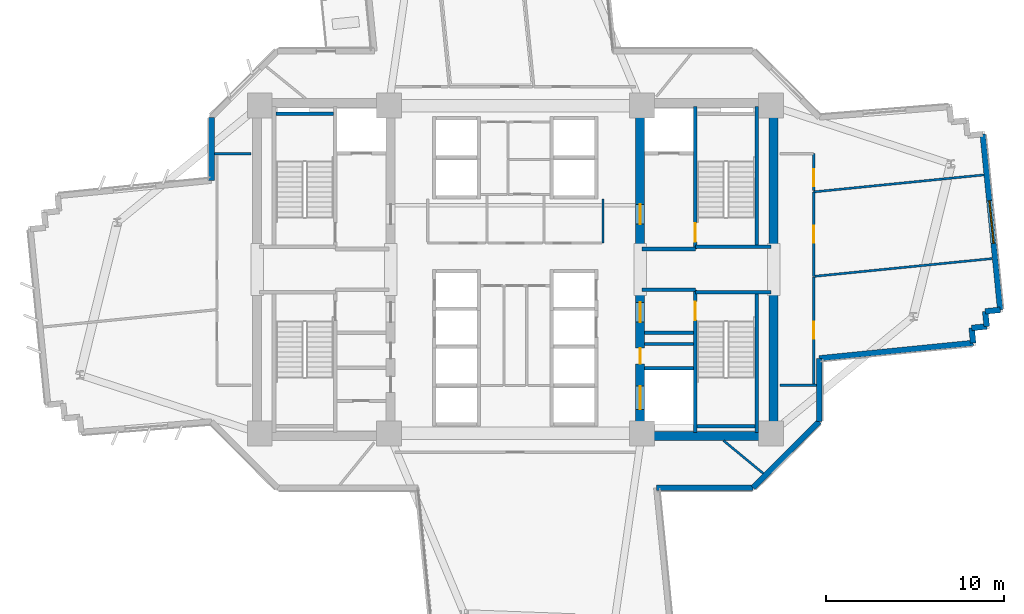
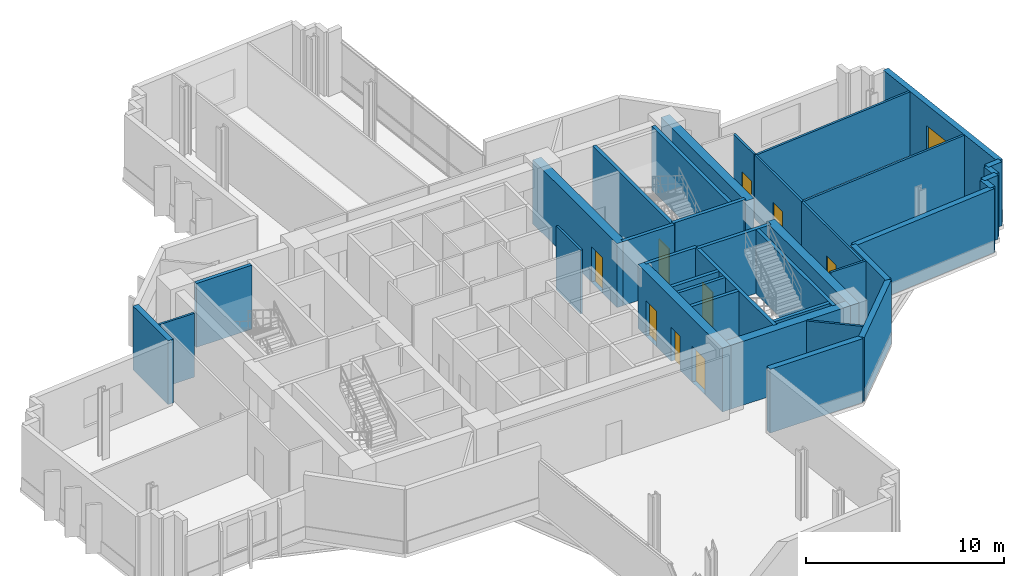
# One storey, part 8 of 14: 37 walls, 9 doors, 1 window, 10 openings.
"""IFC4 building model written with IfcOpenShell, lengths in metres."""

import ifcopenshell
import ifcopenshell.guid

model = None  # the IFC model being written
_history = None  # IfcOwnerHistory: only IFC2X3 demands one
_inside = {}  # id of a spatial element -> (the spatial element, [elements in it])
_under = {}  # id of a project, library or spatial element -> (it, [spatial elements below it])
_declared = {}  # id of a project -> (the project, [libraries it declares])
_typed = {}  # id of a type object -> (the type object, [elements of that type])
_made_of = {}  # id of a material, layer set ... -> (it, [elements and type objects made of it])


def new_model(schema):
    """Start an empty IFC model of exactly this schema.

    Asked for "IFC4X3", IfcOpenShell would pick the latest addendum, in which some entities
    have other attributes; the version numbers below select the first issue.
    IFC2X3 requires an IfcOwnerHistory on every rooted entity: one is made here for all.
    """
    global model, _history
    if schema == "IFC4X3":
        model = ifcopenshell.file(schema_version=(4, 3, 0, 0))
    else:
        model = ifcopenshell.file(schema=schema)
    _inside.clear()
    _under.clear()
    _declared.clear()
    _typed.clear()
    _made_of.clear()
    _history = None
    if model.schema == "IFC2X3":
        org = make("IfcOrganization", Name="unknown")
        user = make(
            "IfcPersonAndOrganization",
            ThePerson=make("IfcPerson", FamilyName="unknown"),
            TheOrganization=org,
        )
        app = make(
            "IfcApplication",
            ApplicationDeveloper=org,
            Version="unknown",
            ApplicationFullName="unknown",
            ApplicationIdentifier="unknown",
        )
        _history = make(
            "IfcOwnerHistory",
            OwningUser=user,
            OwningApplication=app,
            ChangeAction="ADDED",
            CreationDate=0,
        )
    return model


def make(cls, **values):
    """One entity of the class cls with the attributes given. An attribute that is None is left unset."""
    return model.create_entity(
        cls, **{name: value for name, value in values.items() if value is not None}
    )


def rooted(cls, **values):
    """An entity with a GlobalId (a new one), such as an element, a storey or a relation."""
    return make(cls, GlobalId=ifcopenshell.guid.new(), OwnerHistory=_history, **values)


def si_unit(unit_type, name, prefix=None):
    """IfcSIUnit, for example si_unit("LENGTHUNIT", "METRE", prefix="MILLI")."""
    return make("IfcSIUnit", UnitType=unit_type, Prefix=prefix, Name=name)


def assignment(units):
    """IfcUnitAssignment: the units of a project."""
    return None if units is None else make("IfcUnitAssignment", Units=units)


def point(xyz):
    """IfcCartesianPoint."""
    return None if xyz is None else make("IfcCartesianPoint", Coordinates=xyz)


def direction(xyz):
    """IfcDirection."""
    return None if xyz is None else make("IfcDirection", DirectionRatios=xyz)


def frame(location, z_axis=None, x_axis=None):
    """IfcAxis2Placement3D, a coordinate frame: its origin and axes. An axis left out is left unset."""
    return make(
        "IfcAxis2Placement3D",
        Location=point(location),
        Axis=direction(z_axis),
        RefDirection=direction(x_axis),
    )


def frame_2d(location, x_axis=None):
    """IfcAxis2Placement2D, a coordinate frame in the plane: its origin and x axis."""
    return make(
        "IfcAxis2Placement2D", Location=point(location), RefDirection=direction(x_axis)
    )


def origin():
    """The frame at (0, 0, 0) with its axes left unset."""
    return frame((0.0, 0.0, 0.0))


def place(relative_to, where):
    """IfcLocalPlacement: puts the frame where relative to a parent placement (None: the world)."""
    return make(
        "IfcLocalPlacement", PlacementRelTo=relative_to, RelativePlacement=where
    )


def context(
    kind, dimensions, precision=None, world=None, true_north=None, identifier=None
):
    """IfcGeometricRepresentationContext, for example the 3D "Model" context."""
    return make(
        "IfcGeometricRepresentationContext",
        ContextIdentifier=identifier,
        ContextType=kind,
        CoordinateSpaceDimension=dimensions,
        Precision=precision,
        WorldCoordinateSystem=world,
        TrueNorth=true_north,
    )


def subcontext(parent, identifier, kind, view, scale=None):
    """IfcGeometricRepresentationSubContext, for example "Body" below "Model"."""
    return make(
        "IfcGeometricRepresentationSubContext",
        ContextIdentifier=identifier,
        ContextType=kind,
        ParentContext=parent,
        TargetScale=scale,
        TargetView=view,
    )


def project(units=None, contexts=None):
    """IfcProject with its units and contexts."""
    return rooted(
        "IfcProject",
        Name="project",
        RepresentationContexts=contexts,
        UnitsInContext=assignment(units),
    )


def spatial(cls, under=None, at=None, **own):
    """A site, building, storey or space (cls), placed at a placement, below another one or the project."""
    s = rooted(cls, ObjectPlacement=at, **own)
    if under is not None:
        _under.setdefault(under.id(), (under, []))[1].append(s)
    return s


def profile(cls, at=None, kind="AREA", **sizes):
    """A parametric profile (cls). Its sizes go by their IFC names, for example OverallWidth=200.0."""
    return make(cls, ProfileType=kind, Position=at, **sizes)


def rectangle(**sizes):
    """IfcRectangleProfileDef."""
    return profile("IfcRectangleProfileDef", **sizes)


def extrude(swept, where, along, depth):
    """IfcExtrudedAreaSolid: the profile swept, set in the frame where, extruded along a direction by depth."""
    return make(
        "IfcExtrudedAreaSolid",
        SweptArea=swept,
        Position=where,
        ExtrudedDirection=direction(along),
        Depth=depth,
    )


def shape(context_of_items, identifier, shape_type, items):
    """IfcShapeRepresentation: the items that make up one representation, for example the "Body"."""
    return make(
        "IfcShapeRepresentation",
        ContextOfItems=context_of_items,
        RepresentationIdentifier=identifier,
        RepresentationType=shape_type,
        Items=items,
    )


def source(mapping_origin, context_of_items, identifier, shape_type, items):
    """IfcRepresentationMap: a shape defined once, which mapped items show again and again."""
    return make(
        "IfcRepresentationMap",
        MappingOrigin=mapping_origin,
        MappedRepresentation=shape(context_of_items, identifier, shape_type, items),
    )


def transform(
    local_origin,
    x_axis=None,
    y_axis=None,
    z_axis=None,
    scale=None,
    scale2=None,
    scale3=None,
    uniform=True,
):
    """IfcCartesianTransformationOperator3D, or its non-uniform kind. x_axis, y_axis, z_axis: its Axis1, 2, 3."""
    if uniform:
        return make(
            "IfcCartesianTransformationOperator3D",
            Axis1=direction(x_axis),
            Axis2=direction(y_axis),
            LocalOrigin=point(local_origin),
            Scale=scale,
            Axis3=direction(z_axis),
        )
    return make(
        "IfcCartesianTransformationOperator3DnonUniform",
        Axis1=direction(x_axis),
        Axis2=direction(y_axis),
        LocalOrigin=point(local_origin),
        Scale=scale,
        Axis3=direction(z_axis),
        Scale2=scale2,
        Scale3=scale3,
    )


def mapped(mapping_source, mapping_target):
    """IfcMappedItem: shows the shape of a source again, moved by a transform."""
    return make(
        "IfcMappedItem", MappingSource=mapping_source, MappingTarget=mapping_target
    )


def material(Name=None, Category=None):
    """IfcMaterial."""
    return make("IfcMaterial", Name=Name, Category=Category)


def layer(
    of_material, thickness, ventilated=None, Name=None, Category=None, Priority=None
):
    """IfcMaterialLayer: one layer of a wall or slab, of a material (None: an air gap)."""
    return make(
        "IfcMaterialLayer",
        Material=of_material,
        LayerThickness=thickness,
        IsVentilated=ventilated,
        Name=Name,
        Category=Category,
        Priority=Priority,
    )


def layer_set(layers, Name=None):
    """IfcMaterialLayerSet."""
    return make("IfcMaterialLayerSet", MaterialLayers=layers, LayerSetName=Name)


def made_of(thing, what):
    """Note that an element or type object is made of a material, layer set ...; save() writes the relation."""
    if what is not None:
        _made_of.setdefault(what.id(), (what, []))[1].append(thing)
    return thing


def type_object(cls, material=None, **own):
    """A type object (cls), such as IfcWallType, which elements share."""
    return made_of(rooted(cls, **own), material)


def element(
    cls,
    number,
    at=None,
    inside=None,
    cuts=None,
    type_object=None,
    material=None,
    context=None,
    identifier="Body",
    shape_type=None,
    held_by="IfcProductDefinitionShape",
    body=None,
    shapes=None,
    **own,
):
    """One element of the class cls, such as IfcWall. Its Tag is "e" and its number.

    at: its placement. inside: the storey or other place that contains it. cuts: it is an
    opening in that element (IfcRelVoidsElement). A single representation is given by context,
    identifier, shape_type and body (its items); several are given by shapes. held_by: the class
    of the entity that holds the representations. save() writes the other relations.
    """
    e = rooted(cls, Tag="e%d" % number, ObjectPlacement=at, **own)
    if body is not None:
        shapes = [shape(context, identifier, shape_type, body)]
    if shapes is not None:
        e.Representation = make(held_by, Representations=shapes)
    if inside is not None:
        _inside.setdefault(inside.id(), (inside, []))[1].append(e)
    if cuts is not None:
        rooted(
            "IfcRelVoidsElement", RelatingBuildingElement=cuts, RelatedOpeningElement=e
        )
    if type_object is not None:
        _typed.setdefault(type_object.id(), (type_object, []))[1].append(e)
    return made_of(e, material)


def fill(opening, filler):
    """IfcRelFillsElement: the door or window that sits in an opening."""
    return rooted(
        "IfcRelFillsElement",
        RelatingOpeningElement=opening,
        RelatedBuildingElement=filler,
    )


def aggregate(whole, parts):
    """IfcRelAggregates: a whole, such as a stair, and the parts it consists of."""
    return rooted("IfcRelAggregates", RelatingObject=whole, RelatedObjects=parts)


def save(model, path):
    """Write the relations noted so far, then the file.

    IfcRelAggregates (storeys below a building ...), IfcRelContainedInSpatialStructure (elements
    in a storey), IfcRelDefinesByType, IfcRelAssociatesMaterial and IfcRelDeclares: one each for
    every whole, place, type object, material and project.
    """
    for whole, parts in _under.values():
        aggregate(whole, parts)
    for where, things in _inside.values():
        rooted(
            "IfcRelContainedInSpatialStructure",
            RelatedElements=things,
            RelatingStructure=where,
        )
    for kind, things in _typed.values():
        rooted("IfcRelDefinesByType", RelatedObjects=things, RelatingType=kind)
    for what, things in _made_of.values():
        rooted("IfcRelAssociatesMaterial", RelatedObjects=things, RelatingMaterial=what)
    for by, libraries in _declared.values():
        rooted("IfcRelDeclares", RelatingContext=by, RelatedDefinitions=libraries)
    model.write(path)


model = new_model("IFC4")

# Units and contexts
model_context = context("Model", 3, precision=1e-05, world=origin(), true_north=direction((0.0, 1.0)))
body_context = subcontext(model_context, "Body", "Model", "MODEL_VIEW")
ifc_project = project(units=[si_unit("LENGTHUNIT", "METRE"), si_unit("AREAUNIT", "SQUARE_METRE"), si_unit("VOLUMEUNIT", "CUBIC_METRE"), si_unit("PLANEANGLEUNIT", "RADIAN"), si_unit("MASSUNIT", "GRAM", prefix="KILO")], contexts=[model_context])

# Site, building, storey
site_placement = place(None, origin())
site = spatial("IfcSite", under=ifc_project, at=site_placement, CompositionType="ELEMENT")
building_placement = place(site_placement, origin())
building = spatial("IfcBuilding", under=site, at=building_placement, Name="Zahravan Cultural Tower", CompositionType="ELEMENT")
storey_placement = place(building_placement, frame((0.0, 0.0, 100.5)))
storey = spatial("IfcBuildingStorey", under=building, at=storey_placement, Name="L22", CompositionType="ELEMENT", Elevation=100.5)

# Wall, openings, doors
ifc_material_1 = material(Name="Concrete C60/75", Category="concrete")
ifc_layer_1 = layer(ifc_material_1, 0.5)
ifc_layer_set_1 = layer_set([ifc_layer_1], Name="Concrete C60/75")
wall_type_1 = type_object("IfcWallType", Name="CW-SHEAR-500-C60", PredefinedType="SHEAR", material=ifc_layer_set_1)
wall_1_placement = place(storey_placement, frame((43.0, 17.39990234375, 0.0), z_axis=(0.0, 0.0, 1.0), x_axis=(0.0, 1.0, 0.0)))
wall_1 = element("IfcWall", 1, at=wall_1_placement, inside=storey, type_object=wall_type_1, Name="L22 Core Shear Wall CW-E-WS-L22", PredefinedType="SHEAR", context=body_context, shape_type="SweptSolid", body=[
    extrude(rectangle(XDim=8.550048828125, YDim=0.5, at=frame_2d((4.27490234375, 0.0))), origin(), (0.0, 0.0, 1.0), 3.949951171875),
])
opening_1_placement = place(wall_1_placement, frame((6.64990234375, 0.0, 0.0)))
opening_1 = element("IfcOpeningElement", 2, at=opening_1_placement, cuts=wall_1, Name="Opening D-L22-08", PredefinedType="OPENING", context=body_context, shape_type="SweptSolid", body=[
    extrude(rectangle(XDim=1.10009765625, YDim=2.199951171875, at=frame_2d((0.550048828125, 1.10009765625))), frame((0.0, 0.260009765625, 0.0), z_axis=(0.0, -1.0, 0.0), x_axis=(1.0, 0.0, 0.0)), (0.0, 0.0, 1.0), 0.52001953125),
])
opening_2_placement = place(wall_1_placement, frame((1.75, 0.0, 0.0)))
opening_2 = element("IfcOpeningElement", 3, at=opening_2_placement, cuts=wall_1, Name="Opening LD-L22-03", PredefinedType="OPENING", context=body_context, shape_type="SweptSolid", body=[
    extrude(rectangle(XDim=1.300048828125, YDim=2.199951171875, at=frame_2d((0.64990234375, 1.10009765625))), frame((0.0, 0.260009765625, 0.0), z_axis=(0.0, -1.0, 0.0), x_axis=(1.0, 0.0, 0.0)), (0.0, 0.0, 1.0), 0.52001953125),
])
opening_3_placement = place(wall_1_placement, frame((4.300048828125, 0.0, 0.0)))
opening_3 = element("IfcOpeningElement", 4, at=opening_3_placement, cuts=wall_1, Name="Opening D-L22-12", PredefinedType="OPENING", context=body_context, shape_type="SweptSolid", body=[
    extrude(rectangle(XDim=0.8798828125, YDim=2.10009765625, at=frame_2d((0.43994140625, 1.050048828125))), frame((0.0, 0.260009765625, 0.0), z_axis=(0.0, -1.0, 0.0), x_axis=(1.0, 0.0, 0.0)), (0.0, 0.0, 1.0), 0.52001953125),
])
ifc_material_2 = material(Name="Steel ASTM A572 Grade 50", Category="steel")
door_type_1 = type_object("IfcDoorType", Name="DR-LOBBY-1100", OperationType="NOTDEFINED", PredefinedType="DOOR", material=ifc_material_2)
shared_shape_1 = source(origin(), body_context, "Body", "SweptSolid", [
    extrude(rectangle(XDim=1.10009765625, YDim=2.199951171875, at=frame_2d((0.550048828125, 1.10009765625))), frame((0.0, 0.02490234375, 0.0), z_axis=(0.0, -1.0, 0.0), x_axis=(1.0, 0.0, 0.0)), (0.0, 0.0, 1.0), 0.050048828125),
])
door_1_placement = place(opening_1_placement, origin())
door_1 = element("IfcDoor", 5, at=door_1_placement, inside=storey, type_object=door_type_1, Name="L22 Door D-L22-08", OperationType="SINGLE_SWING_LEFT", OverallHeight=2.199951171875, OverallWidth=1.10009765625, PredefinedType="DOOR", context=body_context, shape_type="MappedRepresentation", body=[
    mapped(shared_shape_1, transform((0.0, 0.0, 0.0), x_axis=(1.0, 0.0, 0.0), y_axis=(0.0, 1.0, 0.0), z_axis=(0.0, 0.0, 1.0), scale=1.0)),
])
fill(opening_1, door_1)
door_type_2 = type_object("IfcDoorType", Name="DR-LIFT-1300", OperationType="DOUBLE_DOOR_SLIDING", PredefinedType="DOOR", material=ifc_material_2)
shared_shape_2 = source(origin(), body_context, "Body", "SweptSolid", [
    extrude(rectangle(XDim=1.300048828125, YDim=2.199951171875, at=frame_2d((0.64990234375, 1.10009765625))), frame((0.0, 0.02490234375, 0.0), z_axis=(0.0, -1.0, 0.0), x_axis=(1.0, 0.0, 0.0)), (0.0, 0.0, 1.0), 0.050048828125),
])
door_2_placement = place(opening_2_placement, origin())
door_2 = element("IfcDoor", 6, at=door_2_placement, inside=storey, type_object=door_type_2, Name="L22 Door LD-L22-03", OperationType="DOUBLE_DOOR_SLIDING", OverallHeight=2.199951171875, OverallWidth=1.300048828125, PredefinedType="DOOR", context=body_context, shape_type="MappedRepresentation", body=[
    mapped(shared_shape_2, transform((0.0, 0.0, 0.0), x_axis=(1.0, 0.0, 0.0), y_axis=(0.0, 1.0, 0.0), z_axis=(0.0, 0.0, 1.0), scale=1.0)),
])
fill(opening_2, door_2)
door_type_3 = type_object("IfcDoorType", Name="DR-SVC-880", OperationType="NOTDEFINED", PredefinedType="DOOR", material=ifc_material_2)
shared_shape_3 = source(origin(), body_context, "Body", "SweptSolid", [
    extrude(rectangle(XDim=0.8798828125, YDim=2.10009765625, at=frame_2d((0.43994140625, 1.050048828125))), frame((0.0, 0.02490234375, 0.0), z_axis=(0.0, -1.0, 0.0), x_axis=(1.0, 0.0, 0.0)), (0.0, 0.0, 1.0), 0.050048828125),
])
door_3_placement = place(opening_3_placement, origin())
door_3 = element("IfcDoor", 7, at=door_3_placement, inside=storey, type_object=door_type_3, Name="L22 Door D-L22-12", OperationType="SINGLE_SWING_LEFT", OverallHeight=2.10009765625, OverallWidth=0.8798828125, PredefinedType="DOOR", context=body_context, shape_type="MappedRepresentation", body=[
    mapped(shared_shape_3, transform((0.0, 0.0, 0.0), x_axis=(1.0, 0.0, 0.0), y_axis=(0.0, 1.0, 0.0), z_axis=(0.0, 0.0, 1.0), scale=1.0)),
])
fill(opening_3, door_3)

# Wall, opening, door
wall_2_placement = place(storey_placement, frame((43.0, 28.050048828125, 0.0), z_axis=(0.0, 0.0, 1.0), x_axis=(0.0, 1.0, 0.0)))
wall_2 = element("IfcWall", 8, at=wall_2_placement, inside=storey, type_object=wall_type_1, Name="L22 Core Shear Wall CW-E-WN-L22", PredefinedType="SHEAR", context=body_context, shape_type="SweptSolid", body=[
    extrude(rectangle(XDim=8.550048828125, YDim=0.5, at=frame_2d((4.27490234375, 0.0))), origin(), (0.0, 0.0, 1.0), 3.949951171875),
])
opening_4_placement = place(wall_2_placement, frame((1.5, 0.0, 0.0)))
opening_4 = element("IfcOpeningElement", 9, at=opening_4_placement, cuts=wall_2, Name="Opening D-L22-06", PredefinedType="OPENING", context=body_context, shape_type="SweptSolid", body=[
    extrude(rectangle(XDim=1.10009765625, YDim=2.199951171875, at=frame_2d((0.550048828125, 1.10009765625))), frame((0.0, 0.260009765625, 0.0), z_axis=(0.0, -1.0, 0.0), x_axis=(1.0, 0.0, 0.0)), (0.0, 0.0, 1.0), 0.52001953125),
])
door_4_placement = place(opening_4_placement, origin())
door_4 = element("IfcDoor", 10, at=door_4_placement, inside=storey, type_object=door_type_1, Name="L22 Door D-L22-06", OperationType="SINGLE_SWING_LEFT", OverallHeight=2.199951171875, OverallWidth=1.10009765625, PredefinedType="DOOR", context=body_context, shape_type="MappedRepresentation", body=[
    mapped(shared_shape_1, transform((0.0, 0.0, 0.0), x_axis=(1.0, 0.0, 0.0), y_axis=(0.0, 1.0, 0.0), z_axis=(0.0, 0.0, 1.0), scale=1.0)),
])
fill(opening_4, door_4)

# Wall, opening, window
ifc_material_3 = material(Name="Precast concrete C40/50", Category="concrete")
ifc_layer_2 = layer(ifc_material_3, 0.320068359375)
ifc_layer_set_2 = layer_set([ifc_layer_2], Name="Precast concrete C40/50")
wall_type_2 = type_object("IfcWallType", Name="EW-TC-320", PredefinedType="SOLIDWALL", material=ifc_layer_set_2)
wall_3_placement = place(storey_placement, frame((62.234619140625, 34.603271484375, 0.0), z_axis=(0.0, 0.0, 1.0), x_axis=(0.099303907908, -0.995057151059, 0.0)))
wall_3 = element("IfcWall", 11, at=wall_3_placement, inside=storey, type_object=wall_type_2, Name="L22 Exterior Masonry Frame Wall 32", PredefinedType="SOLIDWALL", context=body_context, shape_type="SweptSolid", body=[
    extrude(rectangle(XDim=9.920166015625, YDim=0.320068359375, at=frame_2d((4.9599609375, 0.0))), origin(), (0.0, 0.0, 1.0), 3.949951171875),
])
opening_5_placement = place(wall_3_placement, frame((3.760009765625, 0.0, 0.85009765625)))
opening_5 = element("IfcOpeningElement", 12, at=opening_5_placement, cuts=wall_3, Name="Opening WN-01", PredefinedType="OPENING", context=body_context, shape_type="SweptSolid", body=[
    extrude(rectangle(XDim=2.39990234375, YDim=1.800048828125, at=frame_2d((1.199951171875, 0.89990234375))), frame((0.0, 0.169921875, 0.0), z_axis=(0.0, -1.0, 0.0), x_axis=(1.0, 0.0, 0.0)), (0.0, 0.0, 1.0), 0.340087890625),
])
ifc_material_4 = material(Name="Low-E solar-control double glazing", Category="glass")
window_type = type_object("IfcWindowType", Name="WN-REC-2400X1800", PartitioningType="DOUBLE_PANEL_VERTICAL", PredefinedType="WINDOW", material=ifc_material_4)
shared_shape_4 = source(origin(), body_context, "Body", "SweptSolid", [
    extrude(rectangle(XDim=2.39990234375, YDim=1.800048828125, at=frame_2d((1.199951171875, 0.89990234375))), frame((0.0, 0.030029296875, 0.0), z_axis=(0.0, -1.0, 0.0), x_axis=(1.0, 0.0, 0.0)), (0.0, 0.0, 1.0), 0.06005859375),
])
window_placement = place(opening_5_placement, origin())
window = element("IfcWindow", 13, at=window_placement, inside=storey, type_object=window_type, Name="L22 Recessed Solar Window 08", OverallHeight=1.800048828125, OverallWidth=2.39990234375, PartitioningType="DOUBLE_PANEL_VERTICAL", PredefinedType="WINDOW", context=body_context, shape_type="MappedRepresentation", body=[
    mapped(shared_shape_4, transform((0.0, 0.0, 0.0), x_axis=(1.0, 0.0, 0.0), y_axis=(0.0, 1.0, 0.0), z_axis=(0.0, 0.0, 1.0), scale=1.0)),
])
fill(opening_5, window)

# Wall, opening, door
ifc_material_5 = material(Name="Gypsum plasterboard partition")
ifc_layer_3 = layer(ifc_material_5, 0.125)
ifc_layer_set_3 = layer_set([ifc_layer_3], Name="Gypsum plasterboard partition")
wall_type_3 = type_object("IfcWallType", Name="W-PART-125", PredefinedType="PARTITIONING", material=ifc_layer_set_3)
wall_4_placement = place(storey_placement, frame((52.75, 26.61181640625, 0.0), z_axis=(0.0, 0.0, 1.0), x_axis=(0.0, 1.0, 0.0)))
wall_4 = element("IfcWall", 14, at=wall_4_placement, inside=storey, type_object=wall_type_3, Name="L22 Interior Wall 091", PredefinedType="PARTITIONING", context=body_context, shape_type="SweptSolid", body=[
    extrude(rectangle(XDim=4.7431640625, YDim=0.125, at=frame_2d((2.37158203125, 0.0))), origin(), (0.0, 0.0, 1.0), 3.949951171875),
])
opening_6_placement = place(wall_4_placement, frame((1.896728515625, 0.0, 0.0)))
opening_6 = element("IfcOpeningElement", 15, at=opening_6_placement, cuts=wall_4, Name="Opening D-L22-22", PredefinedType="OPENING", context=body_context, shape_type="SweptSolid", body=[
    extrude(rectangle(XDim=0.949951171875, YDim=2.14990234375, at=frame_2d((0.47509765625, 1.074951171875))), frame((0.0, 0.072509765625, 0.0), z_axis=(0.0, -1.0, 0.0), x_axis=(1.0, 0.0, 0.0)), (0.0, 0.0, 1.0), 0.14501953125),
])
ifc_material_6 = material(Name="Anodised bronze-aluminium mullion", Category="aluminium")
door_type_4 = type_object("IfcDoorType", Name="DR-ROOM-950", OperationType="NOTDEFINED", PredefinedType="DOOR", material=ifc_material_6)
shared_shape_5 = source(origin(), body_context, "Body", "SweptSolid", [
    extrude(rectangle(XDim=0.949951171875, YDim=2.14990234375, at=frame_2d((0.47509765625, 1.074951171875))), frame((0.0, 0.02490234375, 0.0), z_axis=(0.0, -1.0, 0.0), x_axis=(1.0, 0.0, 0.0)), (0.0, 0.0, 1.0), 0.050048828125),
])
door_5_placement = place(opening_6_placement, origin())
door_5 = element("IfcDoor", 16, at=door_5_placement, inside=storey, type_object=door_type_4, Name="L22 Door D-L22-22", OperationType="SINGLE_SWING_LEFT", OverallHeight=2.14990234375, OverallWidth=0.949951171875, PredefinedType="DOOR", context=body_context, shape_type="MappedRepresentation", body=[
    mapped(shared_shape_5, transform((0.0, 0.0, 0.0), x_axis=(1.0, 0.0, 0.0), y_axis=(0.0, 1.0, 0.0), z_axis=(0.0, 0.0, 1.0), scale=1.0)),
])
fill(opening_6, door_5)

wall_5_placement = place(storey_placement, frame((52.75, 31.4228515625, 0.0), z_axis=(0.0, 0.0, 1.0), x_axis=(-0.000470366834, 0.999999889378, 0.0)))
wall_5 = element("IfcWall", 17, at=wall_5_placement, inside=storey, type_object=wall_type_3, Name="L22 Interior Wall 095", PredefinedType="PARTITIONING", context=body_context, shape_type="SweptSolid", body=[
    extrude(rectangle(XDim=2.076171875, YDim=0.125, at=frame_2d((1.0380859375, 0.0))), origin(), (0.0, 0.0, 1.0), 3.949951171875),
])
opening_7_placement = place(wall_5_placement, frame((0.247802734375, 0.0, 0.0)))
opening_7 = element("IfcOpeningElement", 18, at=opening_7_placement, cuts=wall_5, Name="Opening D-L22-23", PredefinedType="OPENING", context=body_context, shape_type="SweptSolid", body=[
    extrude(rectangle(XDim=0.949951171875, YDim=2.14990234375, at=frame_2d((0.47509765625, 1.074951171875))), frame((0.0, 0.072509765625, 0.0), z_axis=(0.0, -1.0, 0.0), x_axis=(1.0, 0.0, 0.0)), (0.0, 0.0, 1.0), 0.14501953125),
])
door_6_placement = place(opening_7_placement, origin())
door_6 = element("IfcDoor", 19, at=door_6_placement, inside=storey, type_object=door_type_4, Name="L22 Door D-L22-23", OperationType="SINGLE_SWING_RIGHT", OverallHeight=2.14990234375, OverallWidth=0.949951171875, PredefinedType="DOOR", context=body_context, shape_type="MappedRepresentation", body=[
    mapped(shared_shape_5, transform((0.0, 0.0, 0.0), x_axis=(1.0, 0.0, 0.0), y_axis=(0.0, 1.0, 0.0), z_axis=(0.0, 0.0, 1.0), scale=1.0)),
])
fill(opening_7, door_6)

wall_6_placement = place(storey_placement, frame((52.75, 20.56787109375, 0.0), z_axis=(0.0, 0.0, 1.0), x_axis=(0.0, 1.0, 0.0)))
wall_6 = element("IfcWall", 20, at=wall_6_placement, inside=storey, type_object=wall_type_3, Name="L22 Interior Wall 098", PredefinedType="PARTITIONING", context=body_context, shape_type="SweptSolid", body=[
    extrude(rectangle(XDim=6.023681640625, YDim=0.125, at=frame_2d((3.01171875, 0.0))), origin(), (0.0, 0.0, 1.0), 3.949951171875),
])
opening_8_placement = place(wall_6_placement, frame((2.536865234375, 0.0, 0.0)))
opening_8 = element("IfcOpeningElement", 21, at=opening_8_placement, cuts=wall_6, Name="Opening D-L22-21", PredefinedType="OPENING", context=body_context, shape_type="SweptSolid", body=[
    extrude(rectangle(XDim=0.949951171875, YDim=2.14990234375, at=frame_2d((0.47509765625, 1.074951171875))), frame((0.0, 0.072509765625, 0.0), z_axis=(0.0, -1.0, 0.0), x_axis=(1.0, 0.0, 0.0)), (0.0, 0.0, 1.0), 0.14501953125),
])
door_7_placement = place(opening_8_placement, origin())
door_7 = element("IfcDoor", 22, at=door_7_placement, inside=storey, type_object=door_type_4, Name="L22 Door D-L22-21", OperationType="SINGLE_SWING_RIGHT", OverallHeight=2.14990234375, OverallWidth=0.949951171875, PredefinedType="DOOR", context=body_context, shape_type="MappedRepresentation", body=[
    mapped(shared_shape_5, transform((0.0, 0.0, 0.0), x_axis=(1.0, 0.0, 0.0), y_axis=(0.0, 1.0, 0.0), z_axis=(0.0, 0.0, 1.0), scale=1.0)),
])
fill(opening_8, door_7)

ifc_material_7 = material(Name="Concrete C45/55", Category="concrete")
ifc_layer_4 = layer(ifc_material_7, 0.199951171875)
ifc_layer_set_4 = layer_set([ifc_layer_4], Name="Concrete C45/55")
wall_type_4 = type_object("IfcWallType", Name="W-SHAFT-200", PredefinedType="SOLIDWALL", material=ifc_layer_set_4)
wall_7_placement = place(storey_placement, frame((46.10009765625, 17.85009765625, 0.0), z_axis=(0.0, 0.0, 1.0), x_axis=(0.0, 1.0, 0.0)))
wall_7 = element("IfcWall", 23, at=wall_7_placement, inside=storey, type_object=wall_type_4, Name="L22 Interior Wall 007", PredefinedType="SOLIDWALL", context=body_context, shape_type="SweptSolid", body=[
    extrude(rectangle(XDim=8.0, YDim=0.199951171875, at=frame_2d((4.0, 0.0))), origin(), (0.0, 0.0, 1.0), 3.949951171875),
])
opening_9_placement = place(wall_7_placement, frame((6.300048828125, 0.0, 0.0)))
opening_9 = element("IfcOpeningElement", 24, at=opening_9_placement, cuts=wall_7, Name="Opening D-L22-03", PredefinedType="OPENING", context=body_context, shape_type="SweptSolid", body=[
    extrude(rectangle(XDim=1.050048828125, YDim=2.14990234375, at=frame_2d((0.52490234375, 1.074951171875))), frame((0.0, 0.10986328125, 0.0), z_axis=(0.0, -1.0, 0.0), x_axis=(1.0, 0.0, 0.0)), (0.0, 0.0, 1.0), 0.219970703125),
])
door_type_5 = type_object("IfcDoorType", Name="DR-STAIR-1050", OperationType="NOTDEFINED", PredefinedType="DOOR", material=ifc_material_2)
shared_shape_6 = source(origin(), body_context, "Body", "SweptSolid", [
    extrude(rectangle(XDim=1.050048828125, YDim=2.14990234375, at=frame_2d((0.52490234375, 1.074951171875))), frame((0.0, 0.02490234375, 0.0), z_axis=(0.0, -1.0, 0.0), x_axis=(1.0, 0.0, 0.0)), (0.0, 0.0, 1.0), 0.050048828125),
])
door_8_placement = place(opening_9_placement, origin())
door_8 = element("IfcDoor", 25, at=door_8_placement, inside=storey, type_object=door_type_5, Name="L22 Door D-L22-03", OperationType="SINGLE_SWING_RIGHT", OverallHeight=2.14990234375, OverallWidth=1.050048828125, PredefinedType="DOOR", context=body_context, shape_type="MappedRepresentation", body=[
    mapped(shared_shape_6, transform((0.0, 0.0, 0.0), x_axis=(1.0, 0.0, 0.0), y_axis=(0.0, 1.0, 0.0), z_axis=(0.0, 0.0, 1.0), scale=1.0)),
])
fill(opening_9, door_8)

wall_8_placement = place(storey_placement, frame((46.10009765625, 28.14990234375, 0.0), z_axis=(0.0, 0.0, 1.0), x_axis=(0.0, 1.0, 0.0)))
wall_8 = element("IfcWall", 26, at=wall_8_placement, inside=storey, type_object=wall_type_4, Name="L22 Interior Wall 008", PredefinedType="SOLIDWALL", context=body_context, shape_type="SweptSolid", body=[
    extrude(rectangle(XDim=8.0, YDim=0.199951171875, at=frame_2d((4.0, 0.0))), origin(), (0.0, 0.0, 1.0), 3.949951171875),
])
opening_10_placement = place(wall_8_placement, frame((0.39990234375, 0.0, 0.0)))
opening_10 = element("IfcOpeningElement", 27, at=opening_10_placement, cuts=wall_8, Name="Opening D-L22-02", PredefinedType="OPENING", context=body_context, shape_type="SweptSolid", body=[
    extrude(rectangle(XDim=1.050048828125, YDim=2.14990234375, at=frame_2d((0.52490234375, 1.074951171875))), frame((0.0, 0.10986328125, 0.0), z_axis=(0.0, -1.0, 0.0), x_axis=(1.0, 0.0, 0.0)), (0.0, 0.0, 1.0), 0.219970703125),
])
door_9_placement = place(opening_10_placement, origin())
door_9 = element("IfcDoor", 28, at=door_9_placement, inside=storey, type_object=door_type_5, Name="L22 Door D-L22-02", OperationType="SINGLE_SWING_LEFT", OverallHeight=2.14990234375, OverallWidth=1.050048828125, PredefinedType="DOOR", context=body_context, shape_type="MappedRepresentation", body=[
    mapped(shared_shape_6, transform((0.0, 0.0, 0.0), x_axis=(1.0, 0.0, 0.0), y_axis=(0.0, 1.0, 0.0), z_axis=(0.0, 0.0, 1.0), scale=1.0)),
])
fill(opening_10, door_9)

# Walls
shared_shape_7 = source(origin(), body_context, "Body", "SweptSolid", [
    extrude(rectangle(XDim=8.550048828125, YDim=0.5, at=frame_2d((4.27490234375, 0.0))), origin(), (0.0, 0.0, 1.0), 3.949951171875),
])
for number, where, z_axis, x_axis, name in (
    (29, (50.5, 17.39990234375, 0.0), (0.0, 0.0, 1.0), (0.0, 1.0, 0.0), "L22 Core Shear Wall CW-E-ES-L22"),
    (30, (50.5, 28.050048828125, 0.0), (0.0, 0.0, 1.0), (0.0, 1.0, 0.0), "L22 Core Shear Wall CW-E-EN-L22"),
):
    element("IfcWall", number, at=place(storey_placement, frame(where, z_axis=z_axis, x_axis=x_axis)), inside=storey, type_object=wall_type_1, Name=name, PredefinedType="SHEAR", context=body_context, shape_type="MappedRepresentation", body=[
        mapped(shared_shape_7, transform((0.0, 0.0, 0.0), x_axis=(1.0, 0.0, 0.0), y_axis=(0.0, 1.0, 0.0), z_axis=(0.0, 0.0, 1.0), scale=1.0)),
    ])
shared_shape_8 = source(origin(), body_context, "Body", "SweptSolid", [
    extrude(rectangle(XDim=7.0, YDim=0.5, at=frame_2d((3.5, 0.0))), origin(), (0.0, 0.0, 1.0), 3.949951171875),
])
wall_9_placement = place(storey_placement, frame((43.25, 17.64990234375, 0.0), z_axis=(0.0, 0.0, 1.0), x_axis=(1.0, 0.0, 0.0)))
element("IfcWall", 31, at=wall_9_placement, inside=storey, type_object=wall_type_1, Name="L22 Core Shear Wall CW-E-S-L22", PredefinedType="SHEAR", context=body_context, shape_type="MappedRepresentation", body=[
    mapped(shared_shape_8, transform((0.0, 0.0, 0.0), x_axis=(1.0, 0.0, 0.0), y_axis=(0.0, 1.0, 0.0), z_axis=(0.0, 0.0, 1.0), scale=1.0)),
])
shared_shape_9 = source(origin(), body_context, "Body", "SweptSolid", [
    extrude(rectangle(XDim=0.849853515625, YDim=0.320068359375, at=frame_2d((0.4248046875, 0.0))), origin(), (0.0, 0.0, 1.0), 3.949951171875),
])
for number, where, z_axis, x_axis, name in (
    (32, (63.2197265625, 24.732177734375, 0.0), (0.0, 0.0, 1.0), (-0.995048560111, -0.09938995433, 0.0), "L22 Exterior Masonry Frame Wall 33"),
    (33, (62.3740234375, 24.647705078125, 0.0), (0.0, 0.0, 1.0), (0.09938995433, -0.995048560111, 0.0), "L22 Exterior Masonry Frame Wall 34"),
    (34, (62.45849609375, 23.802001953125, 0.0), (0.0, 0.0, 1.0), (-0.995048560111, -0.09938995433, 0.0), "L22 Exterior Masonry Frame Wall 35"),
    (35, (61.61279296875, 23.717529296875, 0.0), (0.0, 0.0, 1.0), (0.099105525559, -0.995076929088, 0.0), "L22 Exterior Masonry Frame Wall 36"),
):
    element("IfcWall", number, at=place(storey_placement, frame(where, z_axis=z_axis, x_axis=x_axis)), inside=storey, type_object=wall_type_2, Name=name, PredefinedType="SOLIDWALL", context=body_context, shape_type="MappedRepresentation", body=[
        mapped(shared_shape_9, transform((0.0, 0.0, 0.0), x_axis=(1.0, 0.0, 0.0), y_axis=(0.0, 1.0, 0.0), z_axis=(0.0, 0.0, 1.0), scale=1.0)),
    ])
shared_shape_10 = source(origin(), body_context, "Body", "SweptSolid", [
    extrude(rectangle(XDim=5.258056640625, YDim=0.320068359375, at=frame_2d((2.62890625, 0.0))), origin(), (0.0, 0.0, 1.0), 3.949951171875),
])
wall_10_placement = place(storey_placement, frame((53.06005859375, 18.4580078125, 0.0), z_axis=(0.0, 0.0, 1.0), x_axis=(-0.707106781187, -0.707106781187, 0.0)))
element("IfcWall", 36, at=wall_10_placement, inside=storey, type_object=wall_type_2, Name="L22 Exterior Masonry Frame Wall 39", PredefinedType="SOLIDWALL", context=body_context, shape_type="MappedRepresentation", body=[
    mapped(shared_shape_10, transform((0.0, 0.0, 0.0), x_axis=(1.0, 0.0, 0.0), y_axis=(0.0, 1.0, 0.0), z_axis=(0.0, 0.0, 1.0), scale=1.0)),
])
shared_shape_11 = source(origin(), body_context, "Body", "SweptSolid", [
    extrude(rectangle(XDim=3.5517578125, YDim=0.320068359375, at=frame_2d((1.77587890625, 0.0))), origin(), (0.0, 0.0, 1.0), 3.949951171875),
])
for number, where, z_axis, x_axis, name in (
    (37, (18.93994140625, 31.990234375, 0.0), (0.0, 0.0, 1.0), (0.0, 1.0, 0.0), "L22 Exterior Masonry Frame Wall 12"),
    (38, (53.06005859375, 22.009765625, 0.0), (0.0, 0.0, 1.0), (0.0, -1.0, 0.0), "L22 Exterior Masonry Frame Wall 38"),
):
    element("IfcWall", number, at=place(storey_placement, frame(where, z_axis=z_axis, x_axis=x_axis)), inside=storey, type_object=wall_type_2, Name=name, PredefinedType="SOLIDWALL", context=body_context, shape_type="MappedRepresentation", body=[
        mapped(shared_shape_11, transform((0.0, 0.0, 0.0), x_axis=(1.0, 0.0, 0.0), y_axis=(0.0, 1.0, 0.0), z_axis=(0.0, 0.0, 1.0), scale=1.0)),
    ])
shared_shape_12 = source(origin(), body_context, "Body", "SweptSolid", [
    extrude(rectangle(XDim=8.679931640625, YDim=0.320068359375, at=frame_2d((4.33984375, 0.0))), origin(), (0.0, 0.0, 1.0), 3.949951171875),
])
wall_11_placement = place(storey_placement, frame((61.697021484375, 22.871826171875, 0.0), z_axis=(0.0, 0.0, 1.0), x_axis=(-0.995055831351, -0.099317130918, 0.0)))
element("IfcWall", 39, at=wall_11_placement, inside=storey, type_object=wall_type_2, Name="L22 Exterior Masonry Frame Wall 37", PredefinedType="SOLIDWALL", context=body_context, shape_type="MappedRepresentation", body=[
    mapped(shared_shape_12, transform((0.0, 0.0, 0.0), x_axis=(1.0, 0.0, 0.0), y_axis=(0.0, 1.0, 0.0), z_axis=(0.0, 0.0, 1.0), scale=1.0)),
])
shared_shape_13 = source(origin(), body_context, "Body", "SweptSolid", [
    extrude(rectangle(XDim=5.42529296875, YDim=0.320068359375, at=frame_2d((2.712646484375, 0.0))), origin(), (0.0, 0.0, 1.0), 3.949951171875),
])
wall_12_placement = place(storey_placement, frame((49.342041015625, 14.739990234375, 0.0), z_axis=(0.0, 0.0, 1.0), x_axis=(-1.0, 0.0, 0.0)))
element("IfcWall", 40, at=wall_12_placement, inside=storey, type_object=wall_type_2, Name="L22 Exterior Masonry Frame Wall 40", PredefinedType="SOLIDWALL", context=body_context, shape_type="MappedRepresentation", body=[
    mapped(shared_shape_13, transform((0.0, 0.0, 0.0), x_axis=(1.0, 0.0, 0.0), y_axis=(0.0, 1.0, 0.0), z_axis=(0.0, 0.0, 1.0), scale=1.0)),
])
shared_shape_14 = source(origin(), body_context, "Body", "SweptSolid", [
    extrude(rectangle(XDim=7.869873046875, YDim=0.199951171875, at=frame_2d((3.93505859375, 0.0))), origin(), (0.0, 0.0, 1.0), 3.949951171875),
])
for number, where, z_axis, x_axis, name in (
    (41, (49.550048828125, 17.85009765625, 0.0), (0.0, 0.0, 1.0), (0.0, 1.0, 0.0), "L22 Interior Wall 003"),
    (42, (49.550048828125, 28.280029296875, 0.0), (0.0, 0.0, 1.0), (0.0, 1.0, 0.0), "L22 Interior Wall 004"),
):
    element("IfcWall", number, at=place(storey_placement, frame(where, z_axis=z_axis, x_axis=x_axis)), inside=storey, type_object=wall_type_4, Name=name, PredefinedType="SOLIDWALL", context=body_context, shape_type="MappedRepresentation", body=[
        mapped(shared_shape_14, transform((0.0, 0.0, 0.0), x_axis=(1.0, 0.0, 0.0), y_axis=(0.0, 1.0, 0.0), z_axis=(0.0, 0.0, 1.0), scale=1.0)),
    ])
shared_shape_15 = source(origin(), body_context, "Body", "SweptSolid", [
    extrude(rectangle(XDim=4.25, YDim=0.199951171875, at=frame_2d((2.125, 0.0))), origin(), (0.0, 0.0, 1.0), 3.949951171875),
])
for number, where, z_axis, x_axis, name in (
    (43, (46.10009765625, 25.715087890625, 0.0), (0.0, 0.0, 1.0), (1.0, 0.0, 0.0), "L22 Interior Wall 014"),
    (44, (46.10009765625, 28.284912109375, 0.0), (0.0, 0.0, 1.0), (1.0, 0.0, 0.0), "L22 Interior Wall 016"),
):
    element("IfcWall", number, at=place(storey_placement, frame(where, z_axis=z_axis, x_axis=x_axis)), inside=storey, type_object=wall_type_4, Name=name, PredefinedType="SOLIDWALL", context=body_context, shape_type="MappedRepresentation", body=[
        mapped(shared_shape_15, transform((0.0, 0.0, 0.0), x_axis=(1.0, 0.0, 0.0), y_axis=(0.0, 1.0, 0.0), z_axis=(0.0, 0.0, 1.0), scale=1.0)),
    ])
shared_shape_16 = source(origin(), body_context, "Body", "SweptSolid", [
    extrude(rectangle(XDim=3.0, YDim=0.199951171875, at=frame_2d((1.5, 0.0))), origin(), (0.0, 0.0, 1.0), 3.949951171875),
])
for number, where, z_axis, x_axis, name in (
    (45, (43.10009765625, 25.85009765625, 0.0), (0.0, 0.0, 1.0), (1.0, 0.0, 0.0), "L22 Interior Wall 013"),
    (46, (43.10009765625, 28.14990234375, 0.0), (0.0, 0.0, 1.0), (1.0, 0.0, 0.0), "L22 Interior Wall 015"),
):
    element("IfcWall", number, at=place(storey_placement, frame(where, z_axis=z_axis, x_axis=x_axis)), inside=storey, type_object=wall_type_4, Name=name, PredefinedType="SOLIDWALL", context=body_context, shape_type="MappedRepresentation", body=[
        mapped(shared_shape_16, transform((0.0, 0.0, 0.0), x_axis=(1.0, 0.0, 0.0), y_axis=(0.0, 1.0, 0.0), z_axis=(0.0, 0.0, 1.0), scale=1.0)),
    ])
shared_shape_17 = source(origin(), body_context, "Body", "SweptSolid", [
    extrude(rectangle(XDim=3.25, YDim=0.199951171875, at=frame_2d((1.625, 0.0))), origin(), (0.0, 0.0, 1.0), 3.949951171875),
])
for number, where, z_axis, x_axis, name in (
    (47, (22.550048828125, 35.75, 0.0), (0.0, 0.0, 1.0), (1.0, 0.0, 0.0), "L22 Interior Wall 017"),
    (48, (46.199951171875, 18.199951171875, 0.0), (0.0, 0.0, 1.0), (1.0, 0.0, 0.0), "L22 Interior Wall 020"),
):
    element("IfcWall", number, at=place(storey_placement, frame(where, z_axis=z_axis, x_axis=x_axis)), inside=storey, type_object=wall_type_4, Name=name, PredefinedType="SOLIDWALL", context=body_context, shape_type="MappedRepresentation", body=[
        mapped(shared_shape_17, transform((0.0, 0.0, 0.0), x_axis=(1.0, 0.0, 0.0), y_axis=(0.0, 1.0, 0.0), z_axis=(0.0, 0.0, 1.0), scale=1.0)),
    ])
shared_shape_18 = source(origin(), body_context, "Body", "SweptSolid", [
    extrude(rectangle(XDim=2.75, YDim=0.199951171875, at=frame_2d((1.375, 0.0))), origin(), (0.0, 0.0, 1.0), 3.949951171875),
])
for number, where, z_axis, x_axis, name in (
    (49, (43.25, 23.449951171875, 0.0), (0.0, 0.0, 1.0), (1.0, 0.0, 0.0), "L22 Interior Wall 024"),
    (50, (43.25, 21.449951171875, 0.0), (0.0, 0.0, 1.0), (1.0, 0.0, 0.0), "L22 Interior Wall 025"),
):
    element("IfcWall", number, at=place(storey_placement, frame(where, z_axis=z_axis, x_axis=x_axis)), inside=storey, type_object=wall_type_4, Name=name, PredefinedType="SOLIDWALL", context=body_context, shape_type="MappedRepresentation", body=[
        mapped(shared_shape_18, transform((0.0, 0.0, 0.0), x_axis=(1.0, 0.0, 0.0), y_axis=(0.0, 1.0, 0.0), z_axis=(0.0, 0.0, 1.0), scale=1.0)),
    ])
ifc_layer_5 = layer(ifc_material_5, 0.179931640625)
ifc_layer_set_5 = layer_set([ifc_layer_5], Name="Gypsum plasterboard partition")
wall_type_5 = type_object("IfcWallType", Name="W-COMP-180", PredefinedType="PARTITIONING", material=ifc_layer_set_5)
shared_shape_19 = source(origin(), body_context, "Body", "SweptSolid", [
    extrude(rectangle(XDim=2.75, YDim=0.179931640625, at=frame_2d((1.375, 0.0))), origin(), (0.0, 0.0, 1.0), 3.949951171875),
])
wall_13_placement = place(storey_placement, frame((43.25, 22.820068359375, 0.0), z_axis=(0.0, 0.0, 1.0), x_axis=(1.0, 0.0, 0.0)))
element("IfcWall", 51, at=wall_13_placement, inside=storey, type_object=wall_type_5, Name="L22 Interior Wall 028", PredefinedType="PARTITIONING", context=body_context, shape_type="MappedRepresentation", body=[
    mapped(shared_shape_19, transform((0.0, 0.0, 0.0), x_axis=(1.0, 0.0, 0.0), y_axis=(0.0, 1.0, 0.0), z_axis=(0.0, 0.0, 1.0), scale=1.0)),
])
shared_shape_20 = source(origin(), body_context, "Body", "SweptSolid", [
    extrude(rectangle(XDim=2.469970703125, YDim=0.125, at=frame_2d((1.23486328125, 0.0))), origin(), (0.0, 0.0, 1.0), 3.949951171875),
])
wall_14_placement = place(storey_placement, frame((40.919921875, 30.949951171875, 0.0), z_axis=(0.0, 0.0, 1.0), x_axis=(0.0, -1.0, 0.0)))
element("IfcWall", 52, at=wall_14_placement, inside=storey, type_object=wall_type_3, Name="L22 Interior Wall 089", PredefinedType="PARTITIONING", context=body_context, shape_type="MappedRepresentation", body=[
    mapped(shared_shape_20, transform((0.0, 0.0, 0.0), x_axis=(1.0, 0.0, 0.0), y_axis=(0.0, 1.0, 0.0), z_axis=(0.0, 0.0, 1.0), scale=1.0)),
])
shared_shape_21 = source(origin(), body_context, "Body", "SweptSolid", [
    extrude(rectangle(XDim=2.04931640625, YDim=0.125, at=frame_2d((1.024658203125, 0.0))), origin(), (0.0, 0.0, 1.0), 3.949951171875),
])
wall_15_placement = place(storey_placement, frame((21.1494140625, 33.49658203125, 0.0), z_axis=(0.0, 0.0, 1.0), x_axis=(-0.999999936133, 0.000357398119, 0.0)))
element("IfcWall", 53, at=wall_15_placement, inside=storey, type_object=wall_type_3, Name="L22 Interior Wall 113", PredefinedType="PARTITIONING", context=body_context, shape_type="MappedRepresentation", body=[
    mapped(shared_shape_21, transform((0.0, 0.0, 0.0), x_axis=(1.0, 0.0, 0.0), y_axis=(0.0, 1.0, 0.0), z_axis=(0.0, 0.0, 1.0), scale=1.0)),
])
shared_shape_22 = source(origin(), body_context, "Body", "SweptSolid", [
    extrude(rectangle(XDim=9.59521484375, YDim=0.125, at=frame_2d((4.797607421875, 0.0))), origin(), (0.0, 0.0, 1.0), 3.949951171875),
])
wall_16_placement = place(storey_placement, frame((52.75, 31.35498046875, 0.0), z_axis=(0.0, 0.0, 1.0), x_axis=(0.995054305912, 0.099332413068, 0.0)))
element("IfcWall", 54, at=wall_16_placement, inside=storey, type_object=wall_type_3, Name="L22 Interior Wall 092", PredefinedType="PARTITIONING", context=body_context, shape_type="MappedRepresentation", body=[
    mapped(shared_shape_22, transform((0.0, 0.0, 0.0), x_axis=(1.0, 0.0, 0.0), y_axis=(0.0, 1.0, 0.0), z_axis=(0.0, 0.0, 1.0), scale=1.0)),
])
shared_shape_23 = source(origin(), body_context, "Body", "SweptSolid", [
    extrude(rectangle(XDim=9.998779296875, YDim=0.125, at=frame_2d((4.99951171875, 0.0))), origin(), (0.0, 0.0, 1.0), 3.949951171875),
])
wall_17_placement = place(storey_placement, frame((62.7666015625, 27.611572265625, 0.0), z_axis=(0.0, 0.0, 1.0), x_axis=(-0.995054581391, -0.099329653443, 0.0)))
element("IfcWall", 55, at=wall_17_placement, inside=storey, type_object=wall_type_3, Name="L22 Interior Wall 093", PredefinedType="PARTITIONING", context=body_context, shape_type="MappedRepresentation", body=[
    mapped(shared_shape_23, transform((0.0, 0.0, 0.0), x_axis=(1.0, 0.0, 0.0), y_axis=(0.0, 1.0, 0.0), z_axis=(0.0, 0.0, 1.0), scale=1.0)),
])
shared_shape_24 = source(origin(), body_context, "Body", "SweptSolid", [
    extrude(rectangle(XDim=2.04736328125, YDim=0.125, at=frame_2d((1.023681640625, 0.0))), origin(), (0.0, 0.0, 1.0), 3.949951171875),
])
wall_18_placement = place(storey_placement, frame((50.8525390625, 20.50244140625, 0.0), z_axis=(0.0, 0.0, 1.0), x_axis=(0.999999289016, -0.001192462782, 0.0)))
element("IfcWall", 56, at=wall_18_placement, inside=storey, type_object=wall_type_3, Name="L22 Interior Wall 097", PredefinedType="PARTITIONING", context=body_context, shape_type="MappedRepresentation", body=[
    mapped(shared_shape_24, transform((0.0, 0.0, 0.0), x_axis=(1.0, 0.0, 0.0), y_axis=(0.0, 1.0, 0.0), z_axis=(0.0, 0.0, 1.0), scale=1.0)),
])
shared_shape_25 = source(origin(), body_context, "Body", "SweptSolid", [
    extrude(rectangle(XDim=2.898193359375, YDim=0.125, at=frame_2d((1.44921875, 0.0))), origin(), (0.0, 0.0, 1.0), 3.949951171875),
])
wall_19_placement = place(storey_placement, frame((49.91748046875, 15.548828125, 0.0), z_axis=(0.0, 0.0, 1.0), x_axis=(-0.770859236659, 0.637005523726, 0.0)))
element("IfcWall", 57, at=wall_19_placement, inside=storey, type_object=wall_type_3, Name="L22 Interior Wall 099", PredefinedType="PARTITIONING", context=body_context, shape_type="MappedRepresentation", body=[
    mapped(shared_shape_25, transform((0.0, 0.0, 0.0), x_axis=(1.0, 0.0, 0.0), y_axis=(0.0, 1.0, 0.0), z_axis=(0.0, 0.0, 1.0), scale=1.0)),
])

save(model, "model.ifc")
